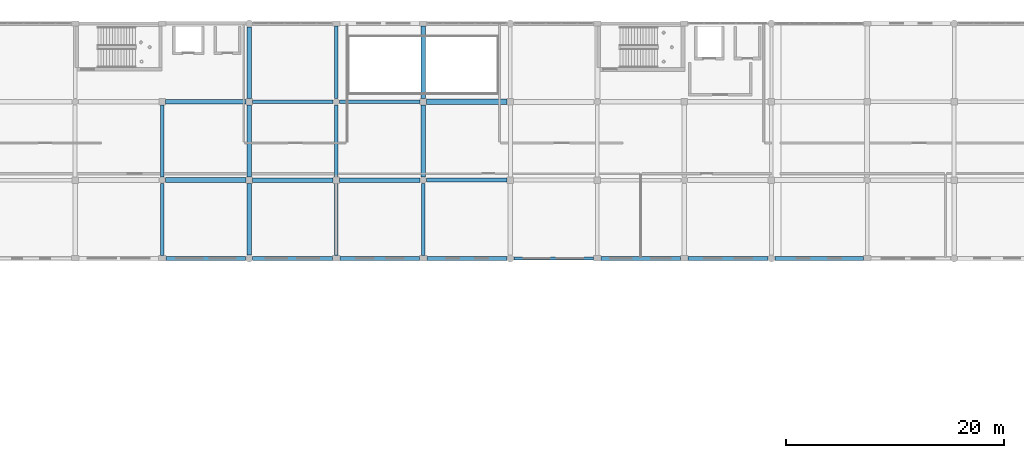
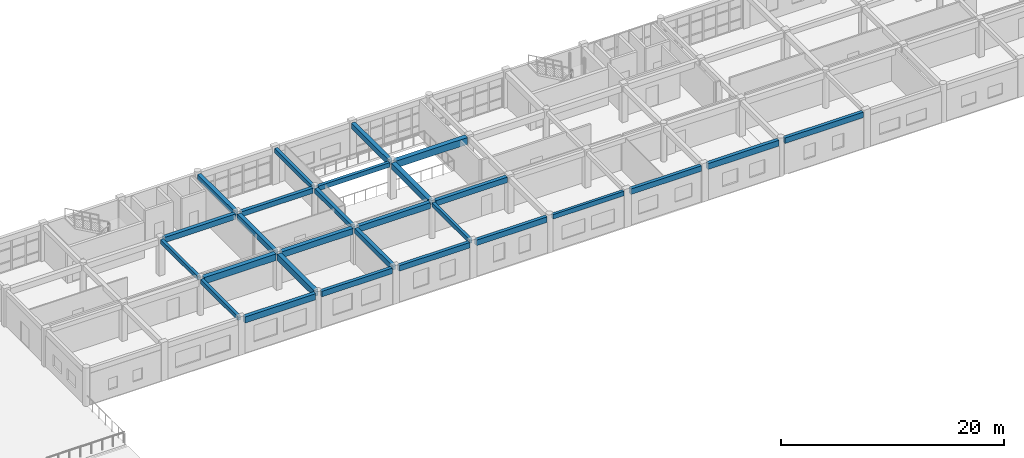
# One storey, part 10 of 53: 27 beams.
"""IFC4 building model written with IfcOpenShell, lengths in metres."""

from ifc_helpers import new_model, si_unit, direction, frame, origin, origin_2d, place, context, subcontext, project, spatial, rectangle, extrude, material, material_profile, profile_set, type_object, element, save


model = new_model("IFC4")

# Units and contexts
model_context = context("Model", 3, precision=1e-05, world=origin(), true_north=direction((0.0, 1.0)))
body_context = subcontext(model_context, "Body", "Model", "MODEL_VIEW")
ifc_project = project(units=[si_unit("LENGTHUNIT", "METRE"), si_unit("AREAUNIT", "SQUARE_METRE"), si_unit("VOLUMEUNIT", "CUBIC_METRE"), si_unit("PLANEANGLEUNIT", "RADIAN"), si_unit("MASSUNIT", "GRAM", prefix="KILO")], contexts=[model_context])

# Site, building, storey
site_placement = place(None, origin())
site = spatial("IfcSite", under=ifc_project, at=site_placement, CompositionType="ELEMENT")
building_placement = place(site_placement, origin())
building = spatial("IfcBuilding", under=site, at=building_placement, Name="Kharva Crest Polytechnic", CompositionType="ELEMENT")
storey_placement = place(building_placement, frame((0.0, 0.0, 17.39990234375)))
storey = spatial("IfcBuildingStorey", under=building, at=storey_placement, Name="L04", CompositionType="ELEMENT", Elevation=17.39990234375)

# Beams
ifc_material = material(Name="Concrete C35/45", Category="concrete")
ifc_material_profile_1 = material_profile(ifc_material, rectangle(XDim=0.300048828125, YDim=0.449951171875, at=origin_2d()), Name="RECT 300 X 450")
ifc_profile_set_1 = profile_set([ifc_material_profile_1], Name="Concrete C35/45")
beam_type_1 = type_object("IfcBeamType", Name="BM-RC-300X450", PredefinedType="BEAM", material=ifc_profile_set_1)
beam_1_placement = place(storey_placement, frame((64.0, 107.889892578125, 3.7451171875), z_axis=(0.0, 1.0, 0.0), x_axis=(-1.0, 0.0, 0.0)))
element("IfcBeam", 1, at=beam_1_placement, inside=storey, type_object=beam_type_1, Name="L04 Girder 9/Q-R", PredefinedType="BEAM", context=body_context, shape_type="SweptSolid", body=[
    extrude(rectangle(XDim=0.300048828125, YDim=0.449951171875, at=origin_2d()), origin(), (0.0, 0.0, 1.0), 6.610107421875),
])
beam_2_placement = place(storey_placement, frame((88.0, 100.64990234375, 3.7451171875), z_axis=(0.0, 1.0, 0.0), x_axis=(-1.0, 0.0, 0.0)))
element("IfcBeam", 2, at=beam_2_placement, inside=storey, type_object=beam_type_1, Name="L04 Girder 12/P-Q", PredefinedType="BEAM", context=body_context, shape_type="SweptSolid", body=[
    extrude(rectangle(XDim=0.300048828125, YDim=0.449951171875, at=origin_2d()), origin(), (0.0, 0.0, 1.0), 6.66015625),
])
ifc_material_profile_2 = material_profile(ifc_material, rectangle(XDim=0.300048828125, YDim=0.47998046875, at=origin_2d()), Name="RECT 300 X 480")
ifc_profile_set_2 = profile_set([ifc_material_profile_2], Name="Concrete C35/45")
beam_type_2 = type_object("IfcBeamType", Name="BM-RC-300X480", PredefinedType="BEAM", material=ifc_profile_set_2)
beam_3_placement = place(storey_placement, frame((64.0, 100.64990234375, 3.72998046875), z_axis=(0.0, 1.0, 0.0), x_axis=(-1.0, 0.0, 0.0)))
element("IfcBeam", 3, at=beam_3_placement, inside=storey, type_object=beam_type_2, Name="L04 Girder 9/P-Q", PredefinedType="BEAM", context=body_context, shape_type="SweptSolid", body=[
    extrude(rectangle(XDim=0.300048828125, YDim=0.47998046875, at=origin_2d()), origin(), (0.0, 0.0, 1.0), 6.66015625),
])
beam_4_placement = place(storey_placement, frame((80.0, 115.090087890625, 3.72998046875), z_axis=(0.0, 1.0, 0.0), x_axis=(-1.0, 0.0, 0.0)))
element("IfcBeam", 4, at=beam_4_placement, inside=storey, type_object=beam_type_2, Name="L04 Girder 11/R-S", PredefinedType="BEAM", context=body_context, shape_type="SweptSolid", body=[
    extrude(rectangle(XDim=0.300048828125, YDim=0.47998046875, at=origin_2d()), origin(), (0.0, 0.0, 1.0), 6.659912109375),
])
ifc_material_profile_3 = material_profile(ifc_material, rectangle(XDim=0.320068359375, YDim=0.5, at=origin_2d()), Name="RECT 320 X 500")
ifc_profile_set_3 = profile_set([ifc_material_profile_3], Name="Concrete C35/45")
beam_type_3 = type_object("IfcBeamType", Name="BM-RC-320X500", PredefinedType="BEAM", material=ifc_profile_set_3)
beam_5_placement = place(storey_placement, frame((80.2900390625, 114.800048828125, 3.72021484375), z_axis=(1.0, 0.0, 0.0), x_axis=(0.0, 1.0, 0.0)))
element("IfcBeam", 5, at=beam_5_placement, inside=storey, type_object=beam_type_3, Name="L04 Beam R/11-12", PredefinedType="BEAM", context=body_context, shape_type="SweptSolid", body=[
    extrude(rectangle(XDim=0.320068359375, YDim=0.5, at=origin_2d()), origin(), (0.0, 0.0, 1.0), 7.409912109375),
])
ifc_material_profile_4 = material_profile(ifc_material, rectangle(XDim=0.340087890625, YDim=0.52001953125, at=origin_2d()), Name="RECT 340 X 520")
ifc_profile_set_4 = profile_set([ifc_material_profile_4], Name="Concrete C35/45")
beam_type_4 = type_object("IfcBeamType", Name="BM-RC-340X520", PredefinedType="BEAM", material=ifc_profile_set_4)
beam_6_placement = place(storey_placement, frame((80.0, 107.889892578125, 3.710205078125), z_axis=(0.0, 1.0, 0.0), x_axis=(-1.0, 0.0, 0.0)))
element("IfcBeam", 6, at=beam_6_placement, inside=storey, type_object=beam_type_4, Name="L04 Girder 11/Q-R", PredefinedType="BEAM", context=body_context, shape_type="SweptSolid", body=[
    extrude(rectangle(XDim=0.340087890625, YDim=0.52001953125, at=origin_2d()), origin(), (0.0, 0.0, 1.0), 6.6201171875),
])
ifc_material_profile_5 = material_profile(ifc_material, rectangle(XDim=0.35009765625, YDim=0.550048828125, at=origin_2d()), Name="RECT 350 X 550")
ifc_profile_set_5 = profile_set([ifc_material_profile_5], Name="Concrete C35/45")
beam_type_5 = type_object("IfcBeamType", Name="BM-RC-350X550", PredefinedType="BEAM", material=ifc_profile_set_5)
beam_7_placement = place(storey_placement, frame((72.2900390625, 114.800048828125, 3.695068359375), z_axis=(1.0, 0.0, 0.0), x_axis=(0.0, 1.0, 0.0)))
element("IfcBeam", 7, at=beam_7_placement, inside=storey, type_object=beam_type_5, Name="L04 Beam R/10-11", PredefinedType="BEAM", context=body_context, shape_type="SweptSolid", body=[
    extrude(rectangle(XDim=0.35009765625, YDim=0.550048828125, at=origin_2d()), origin(), (0.0, 0.0, 1.0), 7.419921875),
])
ifc_material_profile_6 = material_profile(ifc_material, rectangle(XDim=0.360107421875, YDim=0.580078125, at=origin_2d()), Name="RECT 360 X 580")
ifc_profile_set_6 = profile_set([ifc_material_profile_6], Name="Concrete C35/45")
beam_type_6 = type_object("IfcBeamType", Name="BM-RC-360X580", PredefinedType="BEAM", material=ifc_profile_set_6)
beam_8_placement = place(storey_placement, frame((80.0, 100.64990234375, 3.68017578125), z_axis=(0.0, 1.0, 0.0), x_axis=(-1.0, 0.0, 0.0)))
element("IfcBeam", 8, at=beam_8_placement, inside=storey, type_object=beam_type_6, Name="L04 Girder 11/P-Q", PredefinedType="BEAM", context=body_context, shape_type="SweptSolid", body=[
    extrude(rectangle(XDim=0.360107421875, YDim=0.580078125, at=origin_2d()), origin(), (0.0, 0.0, 1.0), 6.66015625),
])
ifc_material_profile_7 = material_profile(ifc_material, rectangle(XDim=0.3798828125, YDim=0.60009765625, at=origin_2d()), Name="RECT 380 X 600")
ifc_profile_set_7 = profile_set([ifc_material_profile_7], Name="Concrete C35/45")
beam_type_7 = type_object("IfcBeamType", Name="BM-RC-380X600", PredefinedType="BEAM", material=ifc_profile_set_7)
for number, where, z_axis, x_axis, name in (
    (9, (88.2900390625, 107.60009765625, 3.670166015625), (1.0, 0.0, 0.0), (0.0, 1.0, 0.0), "L04 Beam Q/12-13"),
    (10, (64.300048828125, 114.800048828125, 3.670166015625), (1.0, 0.0, 0.0), (0.0, 1.0, 0.0), "L04 Beam R/9-10"),
):
    element("IfcBeam", number, at=place(storey_placement, frame(where, z_axis=z_axis, x_axis=x_axis)), inside=storey, type_object=beam_type_7, Name=name, PredefinedType="BEAM", context=body_context, shape_type="SweptSolid", body=[
        extrude(rectangle(XDim=0.3798828125, YDim=0.60009765625, at=origin_2d()), origin(), (0.0, 0.0, 1.0), 7.409912109375),
    ])
ifc_material_profile_8 = material_profile(ifc_material, rectangle(XDim=0.39990234375, YDim=0.580078125, at=origin_2d()), Name="RECT 400 X 580")
ifc_profile_set_8 = profile_set([ifc_material_profile_8], Name="Concrete C35/45")
beam_type_8 = type_object("IfcBeamType", Name="BM-RC-400X580", PredefinedType="BEAM", material=ifc_profile_set_8)
beam_9_placement = place(storey_placement, frame((72.0, 115.090087890625, 3.68017578125), z_axis=(0.0, 1.0, 0.0), x_axis=(-1.0, 0.0, 0.0)))
element("IfcBeam", 11, at=beam_9_placement, inside=storey, type_object=beam_type_8, Name="L04 Girder 10/R-S", PredefinedType="BEAM", context=body_context, shape_type="SweptSolid", body=[
    extrude(rectangle(XDim=0.39990234375, YDim=0.580078125, at=origin_2d()), origin(), (0.0, 0.0, 1.0), 6.58984375),
])
ifc_material_profile_9 = material_profile(ifc_material, rectangle(XDim=0.39990234375, YDim=0.6201171875, at=origin_2d()), Name="RECT 400 X 620")
ifc_profile_set_9 = profile_set([ifc_material_profile_9], Name="Concrete C35/45")
beam_type_9 = type_object("IfcBeamType", Name="BM-RC-400X620", PredefinedType="BEAM", material=ifc_profile_set_9)
beam_10_placement = place(storey_placement, frame((72.0, 107.89990234375, 3.66015625), z_axis=(0.0, 1.0, 0.0), x_axis=(-1.0, 0.0, 0.0)))
element("IfcBeam", 12, at=beam_10_placement, inside=storey, type_object=beam_type_9, Name="L04 Girder 10/Q-R", PredefinedType="BEAM", context=body_context, shape_type="SweptSolid", body=[
    extrude(rectangle(XDim=0.39990234375, YDim=0.6201171875, at=origin_2d()), origin(), (0.0, 0.0, 1.0), 6.610107421875),
])
beam_11_placement = place(storey_placement, frame((88.0, 115.10009765625, 3.66015625), z_axis=(0.0, 1.0, 0.0), x_axis=(-1.0, 0.0, 0.0)))
element("IfcBeam", 13, at=beam_11_placement, inside=storey, type_object=beam_type_9, Name="L04 Girder 12/R-S", PredefinedType="BEAM", context=body_context, shape_type="SweptSolid", body=[
    extrude(rectangle(XDim=0.39990234375, YDim=0.6201171875, at=origin_2d()), origin(), (0.0, 0.0, 1.0), 6.64990234375),
])
ifc_material_profile_10 = material_profile(ifc_material, rectangle(XDim=0.39990234375, YDim=0.64990234375, at=origin_2d()), Name="RECT 400 X 650")
ifc_profile_set_10 = profile_set([ifc_material_profile_10], Name="Concrete C35/45")
beam_type_10 = type_object("IfcBeamType", Name="BM-RC-400X650", PredefinedType="BEAM", material=ifc_profile_set_10)
beam_12_placement = place(storey_placement, frame((80.2900390625, 107.60009765625, 3.64501953125), z_axis=(1.0, 0.0, 0.0), x_axis=(0.0, 1.0, 0.0)))
element("IfcBeam", 14, at=beam_12_placement, inside=storey, type_object=beam_type_10, Name="L04 Beam Q/11-12", PredefinedType="BEAM", context=body_context, shape_type="SweptSolid", body=[
    extrude(rectangle(XDim=0.39990234375, YDim=0.64990234375, at=origin_2d()), origin(), (0.0, 0.0, 1.0), 7.419921875),
])
ifc_material_profile_11 = material_profile(ifc_material, rectangle(XDim=0.419921875, YDim=0.659912109375, at=origin_2d()), Name="RECT 420 X 660")
ifc_profile_set_11 = profile_set([ifc_material_profile_11], Name="Concrete C35/45")
beam_type_11 = type_object("IfcBeamType", Name="BM-RC-420X660", PredefinedType="BEAM", material=ifc_profile_set_11)
beam_13_placement = place(storey_placement, frame((72.300048828125, 107.60009765625, 3.64013671875), z_axis=(1.0, 0.0, 0.0), x_axis=(0.0, 1.0, 0.0)))
element("IfcBeam", 15, at=beam_13_placement, inside=storey, type_object=beam_type_11, Name="L04 Beam Q/10-11", PredefinedType="BEAM", context=body_context, shape_type="SweptSolid", body=[
    extrude(rectangle(XDim=0.419921875, YDim=0.659912109375, at=origin_2d()), origin(), (0.0, 0.0, 1.0), 7.409912109375),
])
ifc_material_profile_12 = material_profile(ifc_material, rectangle(XDim=0.449951171875, YDim=0.679931640625, at=origin_2d()), Name="RECT 450 X 680")
ifc_profile_set_12 = profile_set([ifc_material_profile_12], Name="Concrete C35/45")
beam_type_12 = type_object("IfcBeamType", Name="BM-RC-450X680", PredefinedType="BEAM", material=ifc_profile_set_12)
beam_14_placement = place(storey_placement, frame((72.0, 100.719970703125, 3.630126953125), z_axis=(0.0, 1.0, 0.0), x_axis=(-1.0, 0.0, 0.0)))
element("IfcBeam", 16, at=beam_14_placement, inside=storey, type_object=beam_type_12, Name="L04 Girder 10/P-Q", PredefinedType="BEAM", context=body_context, shape_type="SweptSolid", body=[
    extrude(rectangle(XDim=0.449951171875, YDim=0.679931640625, at=origin_2d()), origin(), (0.0, 0.0, 1.0), 6.580078125),
])
beam_15_placement = place(storey_placement, frame((88.0, 107.889892578125, 3.630126953125), z_axis=(0.0, 1.0, 0.0), x_axis=(-1.0, 0.0, 0.0)))
element("IfcBeam", 17, at=beam_15_placement, inside=storey, type_object=beam_type_12, Name="L04 Girder 12/Q-R", PredefinedType="BEAM", context=body_context, shape_type="SweptSolid", body=[
    extrude(rectangle(XDim=0.449951171875, YDim=0.679931640625, at=origin_2d()), origin(), (0.0, 0.0, 1.0), 6.610107421875),
])
ifc_material_profile_13 = material_profile(ifc_material, rectangle(XDim=0.449951171875, YDim=0.719970703125, at=origin_2d()), Name="RECT 450 X 720")
ifc_profile_set_13 = profile_set([ifc_material_profile_13], Name="Concrete C35/45")
beam_type_13 = type_object("IfcBeamType", Name="BM-RC-450X720", PredefinedType="BEAM", material=ifc_profile_set_13)
beam_16_placement = place(storey_placement, frame((64.2900390625, 107.60009765625, 3.610107421875), z_axis=(1.0, 0.0, 0.0), x_axis=(0.0, 1.0, 0.0)))
element("IfcBeam", 18, at=beam_16_placement, inside=storey, type_object=beam_type_13, Name="L04 Beam Q/9-10", PredefinedType="BEAM", context=body_context, shape_type="SweptSolid", body=[
    extrude(rectangle(XDim=0.449951171875, YDim=0.719970703125, at=origin_2d()), origin(), (0.0, 0.0, 1.0), 7.409912109375),
])
ifc_material_profile_14 = material_profile(ifc_material, rectangle(XDim=0.47998046875, YDim=0.75, at=origin_2d()), Name="RECT 480 X 750")
ifc_profile_set_14 = profile_set([ifc_material_profile_14], Name="Concrete C35/45")
beam_type_14 = type_object("IfcBeamType", Name="BM-RC-480X750", PredefinedType="BEAM", material=ifc_profile_set_14)
beam_17_placement = place(storey_placement, frame((88.300048828125, 114.800048828125, 3.59521484375), z_axis=(1.0, 0.0, 0.0), x_axis=(0.0, 1.0, 0.0)))
element("IfcBeam", 19, at=beam_17_placement, inside=storey, type_object=beam_type_14, Name="L04 Beam R/12-13", PredefinedType="BEAM", context=body_context, shape_type="SweptSolid", body=[
    extrude(rectangle(XDim=0.47998046875, YDim=0.75, at=origin_2d()), origin(), (0.0, 0.0, 1.0), 7.409912109375),
])
ifc_material_profile_15 = material_profile(ifc_material, rectangle(XDim=0.280029296875, YDim=0.5, at=origin_2d()), Name="RECT 280 X 500")
ifc_profile_set_15 = profile_set([ifc_material_profile_15], Name="Concrete C35/45")
beam_type_15 = type_object("IfcBeamType", Name="SP-RC-280X500", PredefinedType="SPANDREL", material=ifc_profile_set_15)
beam_18_placement = place(storey_placement, frame((96.320068359375, 100.39990234375, 3.72021484375), z_axis=(1.0, 0.0, 0.0), x_axis=(0.0, 1.0, 0.0)))
element("IfcBeam", 20, at=beam_18_placement, inside=storey, type_object=beam_type_15, Name="L04 Beam P/13-14", PredefinedType="SPANDREL", context=body_context, shape_type="SweptSolid", body=[
    extrude(rectangle(XDim=0.280029296875, YDim=0.5, at=origin_2d()), origin(), (0.0, 0.0, 1.0), 7.329833984375),
])
ifc_material_profile_16 = material_profile(ifc_material, rectangle(XDim=0.340087890625, YDim=0.60009765625, at=origin_2d()), Name="RECT 340 X 600")
ifc_profile_set_16 = profile_set([ifc_material_profile_16], Name="Concrete C35/45")
beam_type_16 = type_object("IfcBeamType", Name="SP-RC-340X600", PredefinedType="SPANDREL", material=ifc_profile_set_16)
beam_19_placement = place(storey_placement, frame((72.320068359375, 100.39990234375, 3.670166015625), z_axis=(1.0, 0.0, 0.0), x_axis=(0.0, 1.0, 0.0)))
element("IfcBeam", 21, at=beam_19_placement, inside=storey, type_object=beam_type_16, Name="L04 Beam P/10-11", PredefinedType="SPANDREL", context=body_context, shape_type="SweptSolid", body=[
    extrude(rectangle(XDim=0.340087890625, YDim=0.60009765625, at=origin_2d()), origin(), (0.0, 0.0, 1.0), 7.329833984375),
])
beam_20_placement = place(storey_placement, frame((80.35009765625, 100.39990234375, 3.670166015625), z_axis=(1.0, 0.0, 0.0), x_axis=(0.0, 1.0, 0.0)))
element("IfcBeam", 22, at=beam_20_placement, inside=storey, type_object=beam_type_16, Name="L04 Beam P/11-12", PredefinedType="SPANDREL", context=body_context, shape_type="SweptSolid", body=[
    extrude(rectangle(XDim=0.340087890625, YDim=0.60009765625, at=origin_2d()), origin(), (0.0, 0.0, 1.0), 7.309814453125),
])
beam_21_placement = place(storey_placement, frame((88.340087890625, 100.39990234375, 3.670166015625), z_axis=(1.0, 0.0, 0.0), x_axis=(0.0, 1.0, 0.0)))
element("IfcBeam", 23, at=beam_21_placement, inside=storey, type_object=beam_type_16, Name="L04 Beam P/12-13", PredefinedType="SPANDREL", context=body_context, shape_type="SweptSolid", body=[
    extrude(rectangle(XDim=0.340087890625, YDim=0.60009765625, at=origin_2d()), origin(), (0.0, 0.0, 1.0), 7.33984375),
])
beam_22_placement = place(storey_placement, frame((104.35009765625, 100.39990234375, 3.670166015625), z_axis=(1.0, 0.0, 0.0), x_axis=(0.0, 1.0, 0.0)))
element("IfcBeam", 24, at=beam_22_placement, inside=storey, type_object=beam_type_16, Name="L04 Beam P/14-15", PredefinedType="SPANDREL", context=body_context, shape_type="SweptSolid", body=[
    extrude(rectangle(XDim=0.340087890625, YDim=0.60009765625, at=origin_2d()), origin(), (0.0, 0.0, 1.0), 7.309814453125),
])
beam_23_placement = place(storey_placement, frame((120.320068359375, 100.39990234375, 3.670166015625), z_axis=(1.0, 0.0, 0.0), x_axis=(0.0, 1.0, 0.0)))
element("IfcBeam", 25, at=beam_23_placement, inside=storey, type_object=beam_type_16, Name="L04 Beam P/16-17", PredefinedType="SPANDREL", context=body_context, shape_type="SweptSolid", body=[
    extrude(rectangle(XDim=0.340087890625, YDim=0.60009765625, at=origin_2d()), origin(), (0.0, 0.0, 1.0), 8.139892578125),
])
ifc_material_profile_17 = material_profile(ifc_material, rectangle(XDim=0.360107421875, YDim=0.64990234375, at=origin_2d()), Name="RECT 360 X 650")
ifc_profile_set_17 = profile_set([ifc_material_profile_17], Name="Concrete C35/45")
beam_type_17 = type_object("IfcBeamType", Name="SP-RC-360X650", PredefinedType="SPANDREL", material=ifc_profile_set_17)
beam_24_placement = place(storey_placement, frame((112.340087890625, 100.39990234375, 3.64501953125), z_axis=(1.0, 0.0, 0.0), x_axis=(0.0, 1.0, 0.0)))
element("IfcBeam", 26, at=beam_24_placement, inside=storey, type_object=beam_type_17, Name="L04 Beam P/15-16", PredefinedType="SPANDREL", context=body_context, shape_type="SweptSolid", body=[
    extrude(rectangle(XDim=0.360107421875, YDim=0.64990234375, at=origin_2d()), origin(), (0.0, 0.0, 1.0), 7.33984375),
])
ifc_material_profile_18 = material_profile(ifc_material, rectangle(XDim=0.3798828125, YDim=0.679931640625, at=origin_2d()), Name="RECT 380 X 680")
ifc_profile_set_18 = profile_set([ifc_material_profile_18], Name="Concrete C35/45")
beam_type_18 = type_object("IfcBeamType", Name="SP-RC-380X680", PredefinedType="SPANDREL", material=ifc_profile_set_18)
beam_25_placement = place(storey_placement, frame((64.340087890625, 100.39990234375, 3.630126953125), z_axis=(1.0, 0.0, 0.0), x_axis=(0.0, 1.0, 0.0)))
element("IfcBeam", 27, at=beam_25_placement, inside=storey, type_object=beam_type_18, Name="L04 Beam P/9-10", PredefinedType="SPANDREL", context=body_context, shape_type="SweptSolid", body=[
    extrude(rectangle(XDim=0.3798828125, YDim=0.679931640625, at=origin_2d()), origin(), (0.0, 0.0, 1.0), 7.33984375),
])

save(model, "model.ifc")
